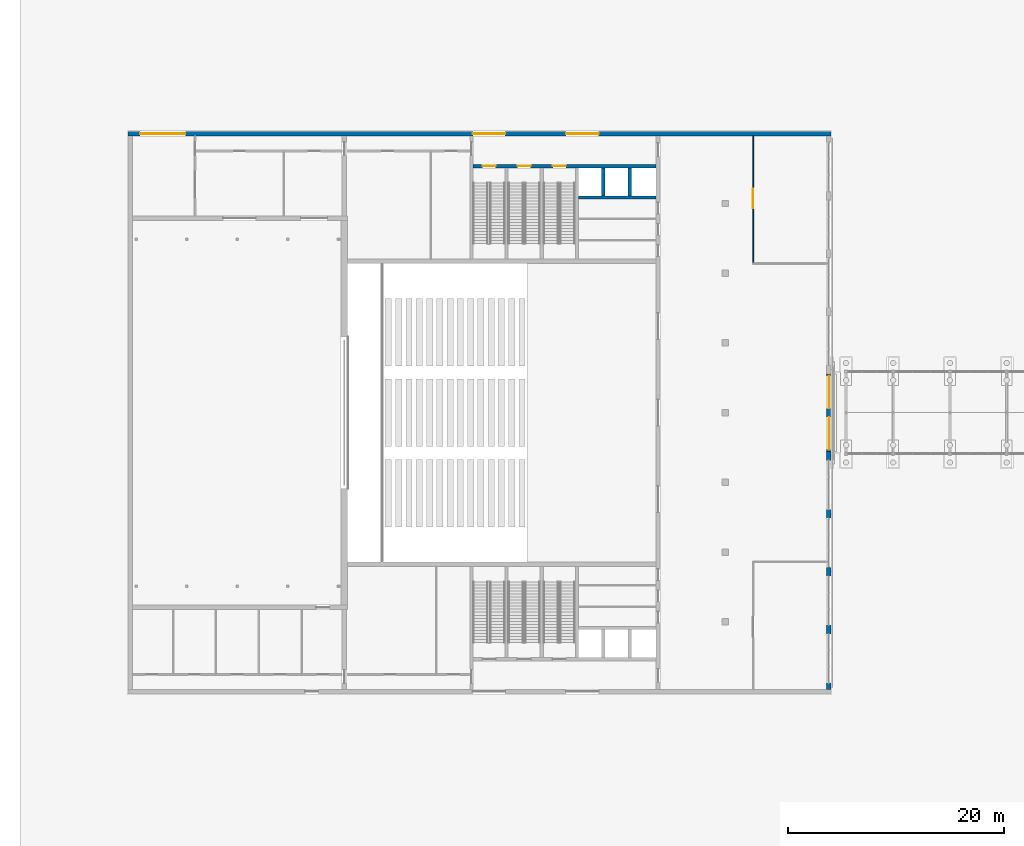
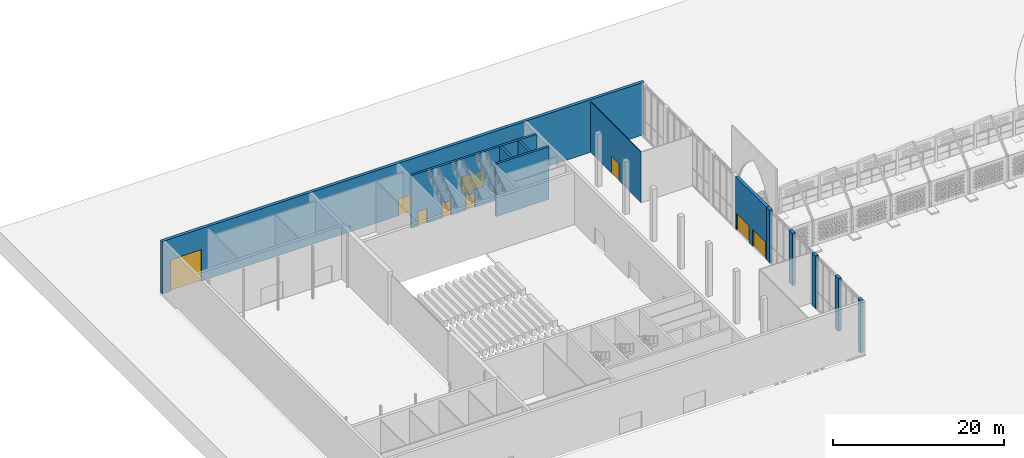
# One storey, part 41 of 79: 12 walls, 9 doors, 9 openings.
"""IFC4 building model written with IfcOpenShell, lengths in metres."""

from ifc_helpers import new_model, si_unit, direction, frame, frame_2d, origin, place, context, subcontext, project, spatial, rectangle, extrude, material, layer, layer_set, type_object, element, fill, save


model = new_model("IFC4")

# Units and contexts
model_context = context("Model", 3, precision=1e-05, world=origin(), true_north=direction((0.0, 1.0)))
body_context = subcontext(model_context, "Body", "Model", "MODEL_VIEW")
ifc_project = project(units=[si_unit("LENGTHUNIT", "METRE"), si_unit("AREAUNIT", "SQUARE_METRE"), si_unit("VOLUMEUNIT", "CUBIC_METRE"), si_unit("PLANEANGLEUNIT", "RADIAN"), si_unit("MASSUNIT", "GRAM", prefix="KILO")], contexts=[model_context])

# Site, building, storey
site_placement = place(None, origin())
site = spatial("IfcSite", under=ifc_project, at=site_placement, CompositionType="ELEMENT")
building_placement = place(site_placement, origin())
building = spatial("IfcBuilding", under=site, at=building_placement, Name="Noorbagh Ring Tower", CompositionType="ELEMENT")
storey_placement = place(building_placement, origin())
storey = spatial("IfcBuildingStorey", under=building, at=storey_placement, Name="L00", CompositionType="ELEMENT", Elevation=0.0)

# Wall, opening, door
ifc_material_1 = material(Name="Gypsum board on steel studs", Category="steel")
ifc_layer_1 = layer(ifc_material_1, 0.10009765625)
ifc_layer_set_1 = layer_set([ifc_layer_1], Name="Gypsum board on steel studs")
wall_type_1 = type_object("IfcWallType", Name="TH-PART-100", PredefinedType="PARTITIONING", material=ifc_layer_set_1)
wall_1_placement = place(storey_placement, frame((-102.199951171875, 18.85009765625, 0.0), z_axis=(0.0, 0.0, 1.0), x_axis=(0.0, 1.0, 0.0)))
wall_1 = element("IfcWall", 1, at=wall_1_placement, inside=storey, type_object=wall_type_1, Name="L00/th-wall/067", PredefinedType="PARTITIONING", context=body_context, shape_type="SweptSolid", body=[
    extrude(rectangle(XDim=11.75, YDim=0.10009765625, at=frame_2d((5.875, 0.0))), origin(), (0.0, 0.0, 1.0), 7.199951171875),
])
opening_1_placement = place(wall_1_placement, frame((5.050048828125, 0.0, 0.0)))
opening_1 = element("IfcOpeningElement", 2, at=opening_1_placement, cuts=wall_1, Name="Opening TL00-D39", PredefinedType="OPENING", context=body_context, shape_type="SweptSolid", body=[
    extrude(rectangle(XDim=1.800048828125, YDim=2.39990234375, at=frame_2d((0.89990234375, 1.199951171875))), frame((0.0, 0.06005859375, 0.0), z_axis=(0.0, -1.0, 0.0), x_axis=(1.0, 0.0, 0.0)), (0.0, 0.0, 1.0), 0.1201171875),
])
ifc_material_2 = material(Name="Timber", Category="wood")
door_type_1 = type_object("IfcDoorType", Name="TH-DOOR-DBL-1800", OperationType="DOUBLE_DOOR_SINGLE_SWING", PredefinedType="DOOR", material=ifc_material_2)
door_1_placement = place(opening_1_placement, origin())
door_1 = element("IfcDoor", 3, at=door_1_placement, inside=storey, type_object=door_type_1, Name="Door Grand foyer to Cafe TL00-D39", OperationType="DOUBLE_DOOR_SINGLE_SWING", OverallHeight=2.39990234375, OverallWidth=1.800048828125, PredefinedType="DOOR", context=body_context, shape_type="SweptSolid", body=[
    extrude(rectangle(XDim=1.800048828125, YDim=2.39990234375, at=frame_2d((0.89990234375, 1.199951171875))), frame((0.0, 0.02490234375, 0.0), z_axis=(0.0, -1.0, 0.0), x_axis=(1.0, 0.0, 0.0)), (0.0, 0.0, 1.0), 0.050048828125),
])
fill(opening_1, door_1)

# Wall, openings, doors
ifc_material_3 = material(Name="Concrete C50/60", Category="concrete")
ifc_layer_2 = layer(ifc_material_3, 0.300048828125)
ifc_layer_set_2 = layer_set([ifc_layer_2], Name="Concrete C50/60")
wall_type_2 = type_object("IfcWallType", Name="TH-WALL-CORE", PredefinedType="SHEAR", material=ifc_layer_set_2)
wall_2_placement = place(storey_placement, frame((-128.10009765625, 27.800048828125, 0.0), z_axis=(0.0, 0.0, 1.0), x_axis=(1.0, 0.0, 0.0)))
wall_2 = element("IfcWall", 4, at=wall_2_placement, inside=storey, type_object=wall_type_2, Name="Exit lobby wall", PredefinedType="SHEAR", context=body_context, shape_type="SweptSolid", body=[
    extrude(rectangle(XDim=16.900146484375, YDim=0.300048828125, at=frame_2d((8.4501953125, 0.0))), origin(), (0.0, 0.0, 1.0), 7.5),
])
opening_2_placement = place(wall_2_placement, frame((4.125, 0.0, 0.0)))
opening_2 = element("IfcOpeningElement", 5, at=opening_2_placement, cuts=wall_2, Name="Opening TL00-D21", PredefinedType="OPENING", context=body_context, shape_type="SweptSolid", body=[
    extrude(rectangle(XDim=1.199951171875, YDim=2.10009765625, at=frame_2d((0.60009765625, 1.050048828125))), frame((0.0, 0.16015625, 0.0), z_axis=(0.0, -1.0, 0.0), x_axis=(1.0, 0.0, 0.0)), (0.0, 0.0, 1.0), 0.320068359375),
])
opening_3_placement = place(wall_2_placement, frame((7.375, 0.0, 0.0)))
opening_3 = element("IfcOpeningElement", 6, at=opening_3_placement, cuts=wall_2, Name="Opening TL00-D22", PredefinedType="OPENING", context=body_context, shape_type="SweptSolid", body=[
    extrude(rectangle(XDim=1.199951171875, YDim=2.10009765625, at=frame_2d((0.60009765625, 1.050048828125))), frame((0.0, 0.16015625, 0.0), z_axis=(0.0, -1.0, 0.0), x_axis=(1.0, 0.0, 0.0)), (0.0, 0.0, 1.0), 0.320068359375),
])
opening_4_placement = place(wall_2_placement, frame((0.875, 0.0, 0.0)))
opening_4 = element("IfcOpeningElement", 7, at=opening_4_placement, cuts=wall_2, Name="Opening TL00-D23", PredefinedType="OPENING", context=body_context, shape_type="SweptSolid", body=[
    extrude(rectangle(XDim=1.199951171875, YDim=2.10009765625, at=frame_2d((0.60009765625, 1.050048828125))), frame((0.0, 0.16015625, 0.0), z_axis=(0.0, -1.0, 0.0), x_axis=(1.0, 0.0, 0.0)), (0.0, 0.0, 1.0), 0.320068359375),
])
ifc_material_4 = material(Name="Steel", Category="steel")
door_type_2 = type_object("IfcDoorType", Name="TH-DOOR-STAIR-1200", OperationType="SINGLE_SWING_LEFT", PredefinedType="DOOR", material=ifc_material_4)
door_2_placement = place(opening_2_placement, origin())
door_2 = element("IfcDoor", 8, at=door_2_placement, inside=storey, type_object=door_type_2, Name="Door Exit lobby to Exit stair N1 TL00-D21", OperationType="SINGLE_SWING_LEFT", OverallHeight=2.10009765625, OverallWidth=1.199951171875, PredefinedType="DOOR", context=body_context, shape_type="SweptSolid", body=[
    extrude(rectangle(XDim=1.199951171875, YDim=2.10009765625, at=frame_2d((0.60009765625, 1.050048828125))), frame((0.0, 0.02490234375, 0.0), z_axis=(0.0, -1.0, 0.0), x_axis=(1.0, 0.0, 0.0)), (0.0, 0.0, 1.0), 0.050048828125),
])
fill(opening_2, door_2)
door_3_placement = place(opening_3_placement, origin())
door_3 = element("IfcDoor", 9, at=door_3_placement, inside=storey, type_object=door_type_2, Name="Door Exit lobby to Exit stair N2 TL00-D22", OperationType="SINGLE_SWING_LEFT", OverallHeight=2.10009765625, OverallWidth=1.199951171875, PredefinedType="DOOR", context=body_context, shape_type="SweptSolid", body=[
    extrude(rectangle(XDim=1.199951171875, YDim=2.10009765625, at=frame_2d((0.60009765625, 1.050048828125))), frame((0.0, 0.02490234375, 0.0), z_axis=(0.0, -1.0, 0.0), x_axis=(1.0, 0.0, 0.0)), (0.0, 0.0, 1.0), 0.050048828125),
])
fill(opening_3, door_3)
door_4_placement = place(opening_4_placement, origin())
door_4 = element("IfcDoor", 10, at=door_4_placement, inside=storey, type_object=door_type_2, Name="Door Exit lobby to Exit stair N3 TL00-D23", OperationType="SINGLE_SWING_LEFT", OverallHeight=2.10009765625, OverallWidth=1.199951171875, PredefinedType="DOOR", context=body_context, shape_type="SweptSolid", body=[
    extrude(rectangle(XDim=1.199951171875, YDim=2.10009765625, at=frame_2d((0.60009765625, 1.050048828125))), frame((0.0, 0.02490234375, 0.0), z_axis=(0.0, -1.0, 0.0), x_axis=(1.0, 0.0, 0.0)), (0.0, 0.0, 1.0), 0.050048828125),
])
fill(opening_4, door_4)

# Walls
wall_3_placement = place(storey_placement, frame((-118.35009765625, 24.89990234375, 0.0), z_axis=(0.0, 0.0, 1.0), x_axis=(1.0, 0.0, 0.0)))
element("IfcWall", 11, at=wall_3_placement, inside=storey, type_object=wall_type_2, Name="Lift shaft wall", PredefinedType="SHEAR", context=body_context, shape_type="SweptSolid", body=[
    extrude(rectangle(XDim=7.150146484375, YDim=0.300048828125, at=frame_2d((3.5751953125, 0.0))), origin(), (0.0, 0.0, 1.0), 7.5),
])
for number, where, z_axis, x_axis, name in (
    (12, (-116.050048828125, 25.050048828125, 0.0), (0.0, 0.0, 1.0), (0.0, 1.0, 0.0), "Lift shaft wall"),
    (13, (-113.60009765625, 25.050048828125, 0.0), (0.0, 0.0, 1.0), (0.0, 1.0, 0.0), "Lift shaft wall"),
):
    element("IfcWall", number, at=place(storey_placement, frame(where, z_axis=z_axis, x_axis=x_axis)), inside=storey, type_object=wall_type_2, Name=name, PredefinedType="SHEAR", context=body_context, shape_type="SweptSolid", body=[
        extrude(rectangle(XDim=2.599853515625, YDim=0.300048828125, at=frame_2d((1.2998046875, 0.0))), origin(), (0.0, 0.0, 1.0), 7.5),
    ])

# Wall, openings, doors
ifc_material_5 = material(Name="Concrete C40/50", Category="concrete")
ifc_layer_3 = layer(ifc_material_5, 0.39990234375)
ifc_layer_set_3 = layer_set([ifc_layer_3], Name="Concrete C40/50")
wall_type_3 = type_object("IfcWallType", Name="TH-WALL-OUTER", PredefinedType="SOLIDWALL", material=ifc_layer_set_3)
wall_4_placement = place(storey_placement, frame((-160.0, 30.800048828125, 0.0), z_axis=(0.0, 0.0, 1.0), x_axis=(1.0, 0.0, 0.0)))
wall_4 = element("IfcWall", 14, at=wall_4_placement, inside=storey, type_object=wall_type_3, Name="Outer wall north", PredefinedType="SOLIDWALL", context=body_context, shape_type="SweptSolid", body=[
    extrude(rectangle(XDim=65.0, YDim=0.39990234375, at=frame_2d((32.5, 0.0))), origin(), (0.0, 0.0, 1.0), 7.5),
])
opening_5_placement = place(wall_4_placement, frame((40.5, 0.0, 0.0)))
opening_5 = element("IfcOpeningElement", 15, at=opening_5_placement, cuts=wall_4, Name="Opening TL00-D30", PredefinedType="OPENING", context=body_context, shape_type="SweptSolid", body=[
    extrude(rectangle(XDim=3.0, YDim=2.39990234375, at=frame_2d((1.5, 1.199951171875))), frame((0.0, 0.2099609375, 0.0), z_axis=(0.0, -1.0, 0.0), x_axis=(1.0, 0.0, 0.0)), (0.0, 0.0, 1.0), 0.419921875),
])
opening_6_placement = place(wall_4_placement, frame((31.875, 0.0, 0.0)))
opening_6 = element("IfcOpeningElement", 16, at=opening_6_placement, cuts=wall_4, Name="Opening TL00-D31", PredefinedType="OPENING", context=body_context, shape_type="SweptSolid", body=[
    extrude(rectangle(XDim=3.0, YDim=2.39990234375, at=frame_2d((1.5, 1.199951171875))), frame((0.0, 0.2099609375, 0.0), z_axis=(0.0, -1.0, 0.0), x_axis=(1.0, 0.0, 0.0)), (0.0, 0.0, 1.0), 0.419921875),
])
opening_7_placement = place(wall_4_placement, frame((1.10009765625, 0.0, 0.0)))
opening_7 = element("IfcOpeningElement", 17, at=opening_7_placement, cuts=wall_4, Name="Opening TL00-D35", PredefinedType="OPENING", context=body_context, shape_type="SweptSolid", body=[
    extrude(rectangle(XDim=4.199951171875, YDim=4.5, at=frame_2d((2.10009765625, 2.25))), frame((0.0, 0.2099609375, 0.0), z_axis=(0.0, -1.0, 0.0), x_axis=(1.0, 0.0, 0.0)), (0.0, 0.0, 1.0), 0.419921875),
])
ifc_material_6 = material(Name="Steel and glass", Category="steel")
door_type_3 = type_object("IfcDoorType", Name="TH-DOOR-EXIT-3000", OperationType="DOUBLE_DOOR_SINGLE_SWING", PredefinedType="DOOR", material=ifc_material_6)
door_5_placement = place(opening_5_placement, origin())
door_5 = element("IfcDoor", 18, at=door_5_placement, inside=storey, type_object=door_type_3, Name="Stair discharge door N TL00-D30", OperationType="DOUBLE_DOOR_SINGLE_SWING", OverallHeight=2.39990234375, OverallWidth=3.0, PredefinedType="DOOR", context=body_context, shape_type="SweptSolid", body=[
    extrude(rectangle(XDim=3.0, YDim=2.39990234375, at=frame_2d((1.5, 1.199951171875))), frame((0.0, 0.02490234375, 0.0), z_axis=(0.0, -1.0, 0.0), x_axis=(1.0, 0.0, 0.0)), (0.0, 0.0, 1.0), 0.050048828125),
])
fill(opening_5, door_5)
door_6_placement = place(opening_6_placement, origin())
door_6 = element("IfcDoor", 19, at=door_6_placement, inside=storey, type_object=door_type_3, Name="Stair discharge door N west TL00-D31", OperationType="DOUBLE_DOOR_SINGLE_SWING", OverallHeight=2.39990234375, OverallWidth=3.0, PredefinedType="DOOR", context=body_context, shape_type="SweptSolid", body=[
    extrude(rectangle(XDim=3.0, YDim=2.39990234375, at=frame_2d((1.5, 1.199951171875))), frame((0.0, 0.02490234375, 0.0), z_axis=(0.0, -1.0, 0.0), x_axis=(1.0, 0.0, 0.0)), (0.0, 0.0, 1.0), 0.050048828125),
])
fill(opening_6, door_6)
ifc_material_7 = material(Name="Galvanised steel", Category="steel")
door_type_4 = type_object("IfcDoorType", Name="TH-DOOR-ROLLER", OperationType="ROLLINGUP", PredefinedType="DOOR", material=ifc_material_7)
door_7_placement = place(opening_7_placement, origin())
door_7 = element("IfcDoor", 20, at=door_7_placement, inside=storey, type_object=door_type_4, Name="Scene dock roller door TL00-D35", OperationType="ROLLINGUP", OverallHeight=4.5, OverallWidth=4.199951171875, PredefinedType="DOOR", context=body_context, shape_type="SweptSolid", body=[
    extrude(rectangle(XDim=4.199951171875, YDim=4.5, at=frame_2d((2.10009765625, 2.25))), frame((0.0, 0.02490234375, 0.0), z_axis=(0.0, -1.0, 0.0), x_axis=(1.0, 0.0, 0.0)), (0.0, 0.0, 1.0), 0.050048828125),
])
fill(opening_7, door_7)

# Walls
wall_5_placement = place(storey_placement, frame((-95.199951171875, -20.60009765625, 0.0), z_axis=(0.0, 0.0, 1.0), x_axis=(0.0, 1.0, 0.0)))
element("IfcWall", 21, at=wall_5_placement, inside=storey, type_object=wall_type_3, Name="Foyer pier", PredefinedType="SOLIDWALL", context=body_context, shape_type="SweptSolid", body=[
    extrude(rectangle(XDim=0.60009765625, YDim=0.39990234375, at=frame_2d((0.300048828125, 0.0))), origin(), (0.0, 0.0, 1.0), 7.5),
])
for number, where, z_axis, x_axis, name in (
    (22, (-95.199951171875, -15.449951171875, 0.0), (0.0, 0.0, 1.0), (0.0, 1.0, 0.0), "Foyer pier"),
    (23, (-95.199951171875, -10.10009765625, 0.0), (0.0, 0.0, 1.0), (0.0, 1.0, 0.0), "Foyer pier"),
    (24, (-95.199951171875, -4.75, 0.0), (0.0, 0.0, 1.0), (0.0, 1.0, 0.0), "Foyer pier"),
):
    element("IfcWall", number, at=place(storey_placement, frame(where, z_axis=z_axis, x_axis=x_axis)), inside=storey, type_object=wall_type_3, Name=name, PredefinedType="SOLIDWALL", context=body_context, shape_type="SweptSolid", body=[
        extrude(rectangle(XDim=0.800048828125, YDim=0.39990234375, at=frame_2d((0.39990234375, 0.0))), origin(), (0.0, 0.0, 1.0), 7.5),
    ])
wall_6_placement = place(storey_placement, frame((-95.199951171875, 0.60009765625, 0.0), z_axis=(0.0, 0.0, 1.0), x_axis=(0.0, 1.0, 0.0)))
element("IfcWall", 25, at=wall_6_placement, inside=storey, type_object=wall_type_3, Name="Foyer pier", PredefinedType="SOLIDWALL", context=body_context, shape_type="SweptSolid", body=[
    extrude(rectangle(XDim=0.7998046875, YDim=0.39990234375, at=frame_2d((0.39990234375, 0.0))), origin(), (0.0, 0.0, 1.0), 7.5),
])

# Wall, openings, doors
wall_7_placement = place(storey_placement, frame((-95.199951171875, 1.39990234375, 0.0), z_axis=(0.0, 0.0, 1.0), x_axis=(0.0, 1.0, 0.0)))
wall_7 = element("IfcWall", 26, at=wall_7_placement, inside=storey, type_object=wall_type_3, Name="Foyer entrance wall", PredefinedType="SOLIDWALL", context=body_context, shape_type="SweptSolid", body=[
    extrude(rectangle(XDim=7.2001953125, YDim=0.39990234375, at=frame_2d((3.60009765625, 0.0))), origin(), (0.0, 0.0, 1.0), 7.5),
])
opening_8_placement = place(wall_7_placement, frame((0.199951171875, 0.0, 0.0)))
opening_8 = element("IfcOpeningElement", 27, at=opening_8_placement, cuts=wall_7, Name="Opening TL00-D32", PredefinedType="OPENING", context=body_context, shape_type="SweptSolid", body=[
    extrude(rectangle(XDim=3.0, YDim=2.39990234375, at=frame_2d((1.5, 1.199951171875))), frame((0.0, 0.2099609375, 0.0), z_axis=(0.0, -1.0, 0.0), x_axis=(1.0, 0.0, 0.0)), (0.0, 0.0, 1.0), 0.419921875),
])
opening_9_placement = place(wall_7_placement, frame((4.0, 0.0, 0.0)))
opening_9 = element("IfcOpeningElement", 28, at=opening_9_placement, cuts=wall_7, Name="Opening TL00-D33", PredefinedType="OPENING", context=body_context, shape_type="SweptSolid", body=[
    extrude(rectangle(XDim=3.0, YDim=2.39990234375, at=frame_2d((1.5, 1.199951171875))), frame((0.0, 0.2099609375, 0.0), z_axis=(0.0, -1.0, 0.0), x_axis=(1.0, 0.0, 0.0)), (0.0, 0.0, 1.0), 0.419921875),
])
door_8_placement = place(opening_8_placement, frame((3.0, 0.0, 0.0), z_axis=(0.0, 0.0, 1.0), x_axis=(-1.0, 0.0, 0.0)))
door_8 = element("IfcDoor", 29, at=door_8_placement, inside=storey, type_object=door_type_3, Name="Foyer entrance door TL00-D32", OperationType="DOUBLE_DOOR_SINGLE_SWING", OverallHeight=2.39990234375, OverallWidth=3.0, PredefinedType="DOOR", context=body_context, shape_type="SweptSolid", body=[
    extrude(rectangle(XDim=3.0, YDim=2.39990234375, at=frame_2d((1.5, 1.199951171875))), frame((0.0, 0.025146484375, 0.0), z_axis=(0.0, -1.0, 0.0), x_axis=(1.0, 0.0, 0.0)), (0.0, 0.0, 1.0), 0.050048828125),
])
fill(opening_8, door_8)
door_9_placement = place(opening_9_placement, frame((3.0, 0.0, 0.0), z_axis=(0.0, 0.0, 1.0), x_axis=(-1.0, 0.0, 0.0)))
door_9 = element("IfcDoor", 30, at=door_9_placement, inside=storey, type_object=door_type_3, Name="Foyer entrance door TL00-D33", OperationType="DOUBLE_DOOR_SINGLE_SWING", OverallHeight=2.39990234375, OverallWidth=3.0, PredefinedType="DOOR", context=body_context, shape_type="SweptSolid", body=[
    extrude(rectangle(XDim=3.0, YDim=2.39990234375, at=frame_2d((1.5, 1.199951171875))), frame((0.0, 0.025146484375, 0.0), z_axis=(0.0, -1.0, 0.0), x_axis=(1.0, 0.0, 0.0)), (0.0, 0.0, 1.0), 0.050048828125),
])
fill(opening_9, door_9)

save(model, "model.ifc")
